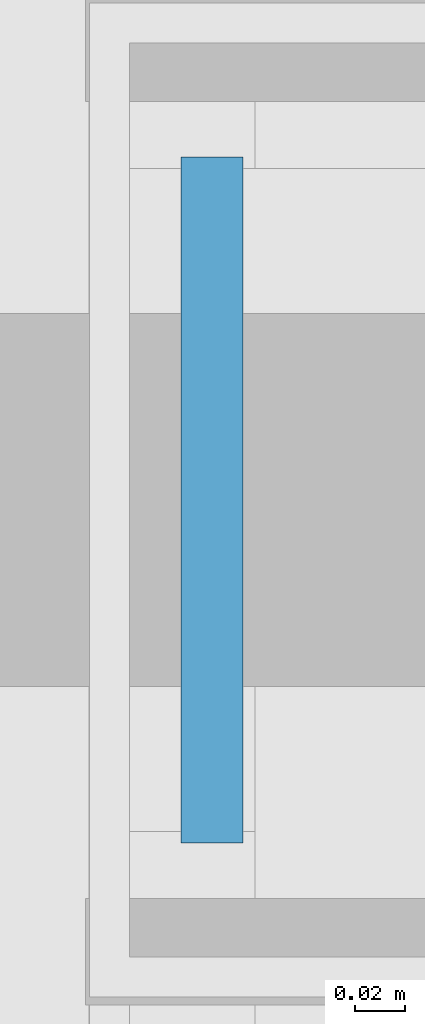
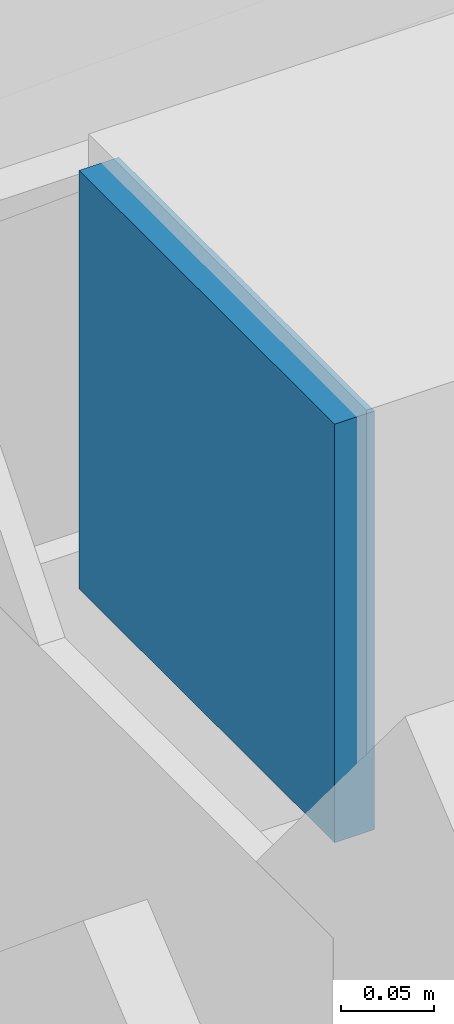
# One storey, part 17 of 22: 1 plate.
"""IFC4 building model written with IfcOpenShell, lengths in metres."""

from ifc_helpers import new_model, si_unit, direction, frame, origin, origin_2d, place, context, subcontext, project, spatial, rectangle, extrude, material, layer, layer_set, type_object, element, save


model = new_model("IFC4")

# Units and contexts
model_context = context("Model", 3, precision=1e-05, world=origin(), true_north=direction((0.0, 1.0)))
body_context = subcontext(model_context, "Body", "Model", "MODEL_VIEW")
ifc_project = project(units=[si_unit("LENGTHUNIT", "METRE"), si_unit("AREAUNIT", "SQUARE_METRE"), si_unit("VOLUMEUNIT", "CUBIC_METRE"), si_unit("PLANEANGLEUNIT", "RADIAN"), si_unit("MASSUNIT", "GRAM", prefix="KILO")], contexts=[model_context])

# Site, building, storey
site_placement = place(None, origin())
site = spatial("IfcSite", under=ifc_project, at=site_placement, CompositionType="ELEMENT")
building_placement = place(site_placement, origin())
building = spatial("IfcBuilding", under=site, at=building_placement, Name="Kopane Lantern Tower", CompositionType="ELEMENT")
storey_placement = place(building_placement, frame((0.0, 0.0, 303.89990234375)))
storey = spatial("IfcBuildingStorey", under=building, at=storey_placement, Name="L77", CompositionType="ELEMENT", Elevation=303.89990234375)

# Plate
ifc_material = material(Name="Steel S355JR", Category="steel")
ifc_layer = layer(ifc_material, 0.02490234375)
ifc_layer_set = layer_set([ifc_layer], Name="STEEL END CAP PLATE PL25")
plate_type = type_object("IfcPlateType", Name="STEEL END CAP PLATE PL25", PredefinedType="USERDEFINED", material=ifc_layer_set)
plate_placement = place(storey_placement, frame((7.949462890625, 40.5, 19.907958984375), z_axis=(0.0, 0.0, 1.0), x_axis=(1.0, 0.0, 0.0)))
element("IfcPlate", 1, at=plate_placement, inside=storey, type_object=plate_type, Name="Lantern ridge end cap plate W", ObjectType="PLATE", PredefinedType="USERDEFINED", context=body_context, shape_type="SweptSolid", body=[
    extrude(rectangle(XDim=0.02490234375, YDim=0.27587890625, at=origin_2d()), origin(), (0.0, 0.0, 1.0), 0.27587890625),
])

save(model, "model.ifc")
